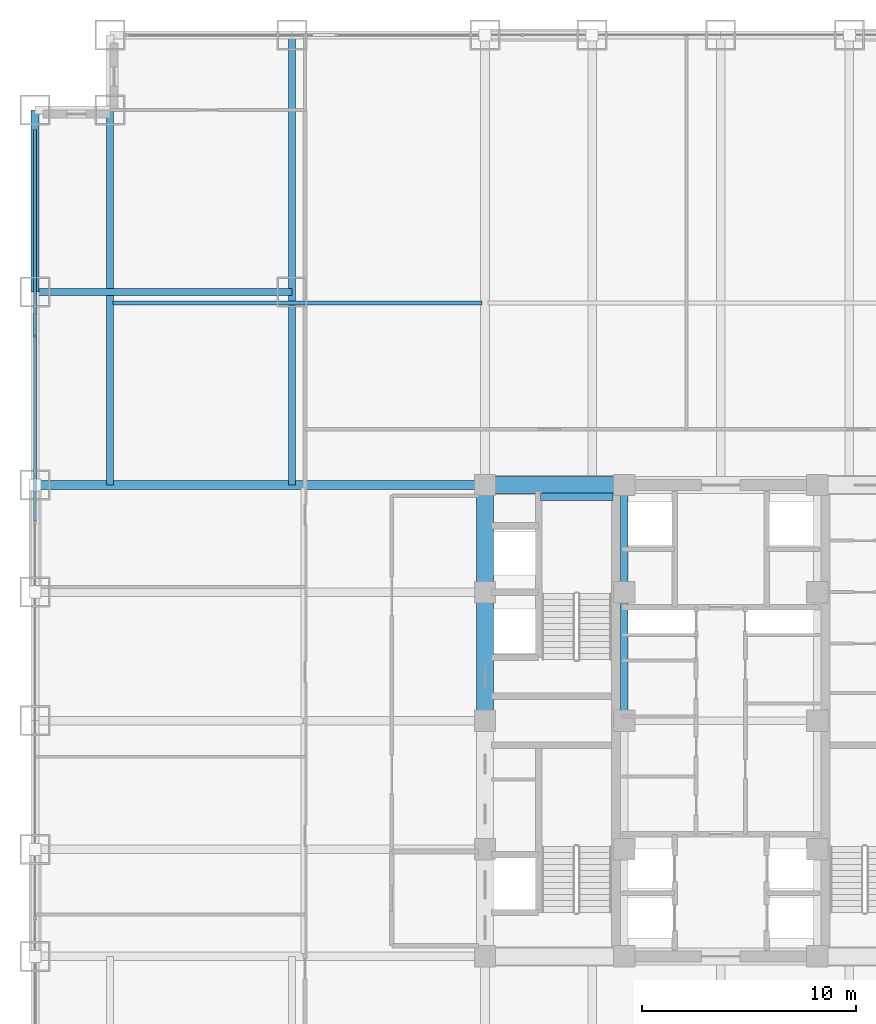
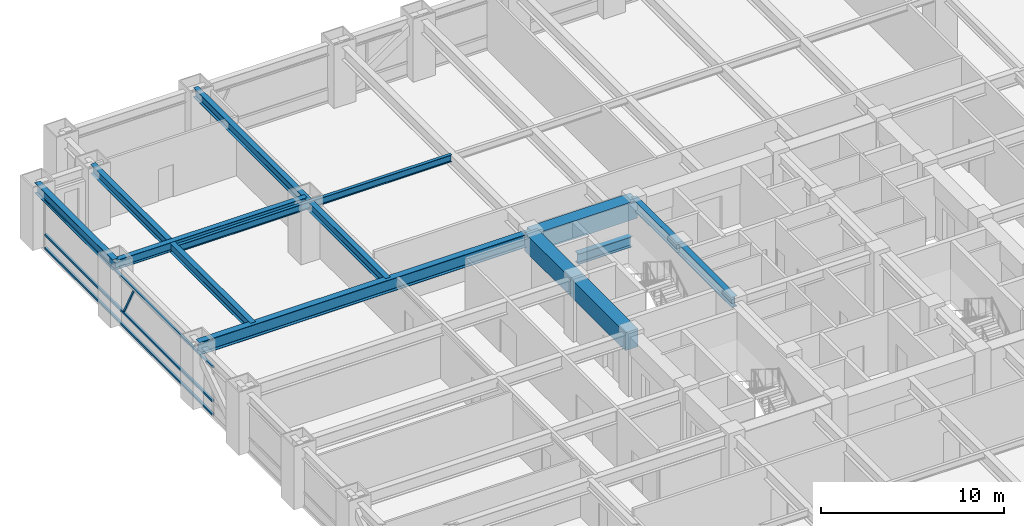
# One storey, part 13 of 28: 12 beams, 4 members, 1 element without a shape of its own.
"""IFC4 building model written with IfcOpenShell, lengths in metres."""

from ifc_helpers import new_model, si_unit, direction, frame, origin, origin_2d, place, context, subcontext, project, spatial, rectangle, hollow_rectangle, i_section, extrude, source, transform, mapped, material, material_profile, profile_set, type_object, element, aggregate, save


model = new_model("IFC4")

# Units and contexts
model_context = context("Model", 3, precision=1e-05, world=origin(), true_north=direction((0.0, 1.0)))
body_context = subcontext(model_context, "Body", "Model", "MODEL_VIEW")
ifc_project = project(units=[si_unit("LENGTHUNIT", "METRE"), si_unit("AREAUNIT", "SQUARE_METRE"), si_unit("VOLUMEUNIT", "CUBIC_METRE"), si_unit("PLANEANGLEUNIT", "RADIAN"), si_unit("MASSUNIT", "GRAM", prefix="KILO")], contexts=[model_context])

# Site, building, storey
site_placement = place(None, origin())
site = spatial("IfcSite", under=ifc_project, at=site_placement, CompositionType="ELEMENT")
building_placement = place(site_placement, origin())
building = spatial("IfcBuilding", under=site, at=building_placement, Name="Khorayat Bourse Tower", CompositionType="ELEMENT")
storey_placement = place(building_placement, frame((0.0, 0.0, 62.0)))
storey = spatial("IfcBuildingStorey", under=building, at=storey_placement, Name="L13", CompositionType="ELEMENT", Elevation=62.0)

# Beams
ifc_material_1 = material(Name="Concrete C72/90", Category="concrete")
ifc_material_profile_1 = material_profile(ifc_material_1, rectangle(XDim=0.800048828125, YDim=1.199951171875, at=origin_2d()), Name="RC 800x1200")
ifc_profile_set_1 = profile_set([ifc_material_profile_1], Name="Concrete C72/90")
beam_type_1 = type_object("IfcBeamType", Name="BM-COUP-1200", PredefinedType="BEAM", material=ifc_profile_set_1)
shared_shape_1 = source(origin(), body_context, "Body", "SweptSolid", [
    extrude(rectangle(XDim=0.800048828125, YDim=1.199951171875, at=origin_2d()), origin(), (0.0, 0.0, 1.0), 5.0),
])
beam_1_placement = place(storey_placement, frame((-11.0, 6.0, 3.340087890625), z_axis=(0.0, 1.0, 0.0), x_axis=(-1.0, 0.0, 0.0)))
element("IfcBeam", 1, at=beam_1_placement, inside=storey, type_object=beam_type_1, Name="L13 BM-COUP-1200 BM-L13-CRX-04", PredefinedType="BEAM", context=body_context, shape_type="MappedRepresentation", body=[
    mapped(shared_shape_1, transform((0.0, 0.0, 0.0), scale=1.0)),
])
shared_shape_2 = source(origin(), body_context, "Body", "SweptSolid", [
    extrude(rectangle(XDim=0.800048828125, YDim=1.199951171875, at=origin_2d()), origin(), (0.0, 0.0, 1.0), 6.0),
])
beam_2_placement = place(storey_placement, frame((-11.0, 0.0, 3.340087890625), z_axis=(0.0, 1.0, 0.0), x_axis=(-1.0, 0.0, 0.0)))
element("IfcBeam", 2, at=beam_2_placement, inside=storey, type_object=beam_type_1, Name="L13 BM-COUP-1200 BM-L13-CRX-03", PredefinedType="BEAM", context=body_context, shape_type="MappedRepresentation", body=[
    mapped(shared_shape_2, transform((0.0, 0.0, 0.0), scale=1.0)),
])
ifc_material_2 = material(Name="Steel ASTM A992 Grade 50", Category="steel")
ifc_material_profile_2 = material_profile(ifc_material_2, i_section(OverallWidth=0.35498046875, OverallDepth=0.695068359375, WebThickness=0.015380859375, FlangeThickness=0.02490234375, FilletRadius=0.01806640625, at=origin_2d()), Name="W690X217")
ifc_profile_set_2 = profile_set([ifc_material_profile_2], Name="Steel ASTM A992 Grade 50")
beam_type_2 = type_object("IfcBeamType", Name="BM-GIRD-690", PredefinedType="BEAM", material=ifc_profile_set_2)
shared_shape_3 = source(origin(), body_context, "Body", "SweptSolid", [
    extrude(i_section(OverallWidth=0.35498046875, OverallDepth=0.695068359375, WebThickness=0.015380859375, FlangeThickness=0.02490234375, FilletRadius=0.01806640625, at=origin_2d()), origin(), (0.0, 0.0, 1.0), 5.0),
])
beam_3_placement = place(storey_placement, frame((-4.5, 6.0, 3.592529296875), z_axis=(0.0, 1.0, 0.0), x_axis=(-1.0, 0.0, 0.0)))
element("IfcBeam", 3, at=beam_3_placement, inside=storey, type_object=beam_type_2, Name="L13 BM-GIRD-690 BM-L13-CRX-08", PredefinedType="BEAM", context=body_context, shape_type="MappedRepresentation", body=[
    mapped(shared_shape_3, transform((0.0, 0.0, 0.0), scale=1.0)),
])
shared_shape_4 = source(origin(), body_context, "Body", "SweptSolid", [
    extrude(i_section(OverallWidth=0.35498046875, OverallDepth=0.695068359375, WebThickness=0.015380859375, FlangeThickness=0.02490234375, FilletRadius=0.01806640625, at=origin_2d()), origin(), (0.0, 0.0, 1.0), 6.0),
])
beam_4_placement = place(storey_placement, frame((-4.5, 0.0, 3.592529296875), z_axis=(0.0, 1.0, 0.0), x_axis=(-1.0, 0.0, 0.0)))
element("IfcBeam", 4, at=beam_4_placement, inside=storey, type_object=beam_type_2, Name="L13 BM-GIRD-690 BM-L13-CRX-07", PredefinedType="BEAM", context=body_context, shape_type="MappedRepresentation", body=[
    mapped(shared_shape_4, transform((0.0, 0.0, 0.0), scale=1.0)),
])
shared_shape_5 = source(origin(), body_context, "Body", "SweptSolid", [
    extrude(rectangle(XDim=0.800048828125, YDim=1.199951171875, at=origin_2d()), origin(), (0.0, 0.0, 1.0), 6.5),
])
beam_5_placement = place(storey_placement, frame((-11.0, 11.0, 3.340087890625), z_axis=(1.0, 0.0, 0.0), x_axis=(0.0, 1.0, 0.0)))
element("IfcBeam", 5, at=beam_5_placement, inside=storey, type_object=beam_type_1, Name="L13 BM-COUP-1200 BM-L13-CRY-20", PredefinedType="BEAM", context=body_context, shape_type="MappedRepresentation", body=[
    mapped(shared_shape_5, transform((0.0, 0.0, 0.0), scale=1.0)),
])
shared_shape_6 = source(origin(), body_context, "Body", "SweptSolid", [
    extrude(i_section(OverallWidth=0.35498046875, OverallDepth=0.695068359375, WebThickness=0.015380859375, FlangeThickness=0.02490234375, FilletRadius=0.01806640625, at=origin_2d()), origin(), (0.0, 0.0, 1.0), 3.39990234375),
])
beam_6_placement = place(storey_placement, frame((-8.419921875, 10.449951171875, 1.552490234375), z_axis=(1.0, 0.0, 0.0), x_axis=(0.0, 1.0, 0.0)))
element("IfcBeam", 6, at=beam_6_placement, inside=storey, type_object=beam_type_2, Name="L13 BM-GIRD-690 BM-L13-ST2L", PredefinedType="BEAM", context=body_context, shape_type="MappedRepresentation", body=[
    mapped(shared_shape_6, transform((0.0, 0.0, 0.0), scale=1.0)),
])
ifc_material_profile_3 = material_profile(ifc_material_2, i_section(OverallWidth=0.35498046875, OverallDepth=0.695068359375, WebThickness=0.015380859375, FlangeThickness=0.02490234375, FilletRadius=0.01806640625, at=origin_2d()), Name="W690X217")
ifc_profile_set_3 = profile_set([ifc_material_profile_3], Name="Steel ASTM A992 Grade 50")
beam_type_3 = type_object("IfcBeamType", Name="BM-SPAN-690", PredefinedType="SPANDREL", material=ifc_profile_set_3)
shared_shape_7 = source(origin(), body_context, "Body", "SweptSolid", [
    extrude(i_section(OverallWidth=0.35498046875, OverallDepth=0.695068359375, WebThickness=0.015380859375, FlangeThickness=0.02490234375, FilletRadius=0.01806640625, at=origin_2d()), origin(), (0.0, 0.0, 1.0), 8.5),
])
beam_7_placement = place(storey_placement, frame((-32.0, 20.0, 3.592529296875), z_axis=(0.0, 1.0, 0.0), x_axis=(-1.0, 0.0, 0.0)))
element("IfcBeam", 7, at=beam_7_placement, inside=storey, type_object=beam_type_3, Name="L13 BM-SPAN-690 BM-L13-SPN-054", PredefinedType="SPANDREL", context=body_context, shape_type="MappedRepresentation", body=[
    mapped(shared_shape_7, transform((0.0, 0.0, 0.0), scale=1.0)),
])
ifc_material_profile_4 = material_profile(ifc_material_2, i_section(OverallWidth=0.39990234375, OverallDepth=0.85498046875, WebThickness=0.018310546875, FlangeThickness=0.029296875, FilletRadius=0.02001953125, at=origin_2d()), Name="W840X299")
ifc_profile_set_4 = profile_set([ifc_material_profile_4], Name="Steel ASTM A992 Grade 50")
beam_type_4 = type_object("IfcBeamType", Name="BM-GIRD-840", PredefinedType="BEAM", material=ifc_profile_set_4)
shared_shape_8 = source(origin(), body_context, "Body", "SweptSolid", [
    extrude(i_section(OverallWidth=0.39990234375, OverallDepth=0.85498046875, WebThickness=0.018310546875, FlangeThickness=0.029296875, FilletRadius=0.02001953125, at=origin_2d()), origin(), (0.0, 0.0, 1.0), 21.0),
])
beam_8_placement = place(storey_placement, frame((-32.0, 11.0, 3.512451171875), z_axis=(1.0, 0.0, 0.0), x_axis=(0.0, 1.0, 0.0)))
element("IfcBeam", 8, at=beam_8_placement, inside=storey, type_object=beam_type_4, Name="L13 BM-GIRD-840 BM-L13-RADX-083", PredefinedType="BEAM", context=body_context, shape_type="MappedRepresentation", body=[
    mapped(shared_shape_8, transform((0.0, 0.0, 0.0), scale=1.0)),
])
ifc_material_profile_5 = material_profile(ifc_material_2, i_section(OverallWidth=0.324951171875, OverallDepth=0.615966796875, WebThickness=0.013916015625, FlangeThickness=0.021484375, FilletRadius=0.01611328125, at=origin_2d()), Name="W610X174")
ifc_profile_set_5 = profile_set([ifc_material_profile_5], Name="Steel ASTM A992 Grade 50")
beam_type_5 = type_object("IfcBeamType", Name="BM-GIRD-610", PredefinedType="BEAM", material=ifc_profile_set_5)
shared_shape_9 = source(origin(), body_context, "Body", "SweptSolid", [
    extrude(i_section(OverallWidth=0.324951171875, OverallDepth=0.615966796875, WebThickness=0.013916015625, FlangeThickness=0.021484375, FilletRadius=0.01611328125, at=origin_2d()), origin(), (0.0, 0.0, 1.0), 21.0),
])
beam_9_placement = place(storey_placement, frame((-20.0, 11.0, 3.632080078125), z_axis=(0.0, 1.0, 0.0), x_axis=(-1.0, 0.0, 0.0)))
element("IfcBeam", 9, at=beam_9_placement, inside=storey, type_object=beam_type_5, Name="L13 BM-GIRD-610 BM-L13-CNRY-085", PredefinedType="BEAM", context=body_context, shape_type="MappedRepresentation", body=[
    mapped(shared_shape_9, transform((0.0, 0.0, 0.0), scale=1.0)),
])
shared_shape_10 = source(origin(), body_context, "Body", "SweptSolid", [
    extrude(i_section(OverallWidth=0.324951171875, OverallDepth=0.615966796875, WebThickness=0.013916015625, FlangeThickness=0.021484375, FilletRadius=0.01611328125, at=origin_2d()), origin(), (0.0, 0.0, 1.0), 17.5),
])
beam_10_placement = place(storey_placement, frame((-28.5, 11.0, 3.632080078125), z_axis=(0.0, 1.0, 0.0), x_axis=(-1.0, 0.0, 0.0)))
element("IfcBeam", 10, at=beam_10_placement, inside=storey, type_object=beam_type_5, Name="L13 BM-GIRD-610 BM-L13-CNRY-089", PredefinedType="BEAM", context=body_context, shape_type="MappedRepresentation", body=[
    mapped(shared_shape_10, transform((0.0, 0.0, 0.0), scale=1.0)),
])
shared_shape_11 = source(origin(), body_context, "Body", "SweptSolid", [
    extrude(i_section(OverallWidth=0.324951171875, OverallDepth=0.615966796875, WebThickness=0.013916015625, FlangeThickness=0.021484375, FilletRadius=0.01611328125, at=origin_2d()), origin(), (0.0, 0.0, 1.0), 12.0),
])
beam_11_placement = place(storey_placement, frame((-32.0, 20.0, 3.632080078125), z_axis=(1.0, 0.0, 0.0), x_axis=(0.0, 1.0, 0.0)))
element("IfcBeam", 11, at=beam_11_placement, inside=storey, type_object=beam_type_5, Name="L13 BM-GIRD-610 BM-L13-CNRX-095", PredefinedType="BEAM", context=body_context, shape_type="MappedRepresentation", body=[
    mapped(shared_shape_11, transform((0.0, 0.0, 0.0), scale=1.0)),
])
ifc_material_profile_6 = material_profile(ifc_material_2, i_section(OverallWidth=0.194091796875, OverallDepth=0.468994140625, WebThickness=0.0126953125, FlangeThickness=0.0205078125, FilletRadius=0.012939453125, at=origin_2d()), Name="W460X106")
ifc_profile_set_6 = profile_set([ifc_material_profile_6], Name="Steel ASTM A992 Grade 50")
beam_type_6 = type_object("IfcBeamType", Name="BM-JOIST-460", PredefinedType="JOIST", material=ifc_profile_set_6)
shared_shape_12 = source(origin(), body_context, "Body", "SweptSolid", [
    extrude(i_section(OverallWidth=0.194091796875, OverallDepth=0.468994140625, WebThickness=0.0126953125, FlangeThickness=0.0205078125, FilletRadius=0.012939453125, at=origin_2d()), origin(), (0.0, 0.0, 1.0), 17.240234375),
])
beam_12_placement = place(storey_placement, frame((-28.3701171875, 19.5, 3.70556640625), z_axis=(1.0, 0.0, 0.0), x_axis=(0.0, 1.0, 0.0)))
element("IfcBeam", 12, at=beam_12_placement, inside=storey, type_object=beam_type_6, Name="L13 BM-JOIST-460 BM-L13-JSTX-099", PredefinedType="JOIST", context=body_context, shape_type="MappedRepresentation", body=[
    mapped(shared_shape_12, transform((0.0, 0.0, 0.0), scale=1.0)),
])

# Curtain wall, members
ifc_material_3 = material(Name="Aluminium EN AW-6063 T6", Category="aluminium")
curtain_wall_type = type_object("IfcCurtainWallType", Name="CW-SYS-02", PredefinedType="NOTDEFINED", material=ifc_material_3)
curtain_wall_placement = place(storey_placement, origin())
curtain_wall = element("IfcCurtainWall", 13, at=curtain_wall_placement, inside=storey, type_object=curtain_wall_type, Name="L13 Curtain Wall CW-L13-W1", PredefinedType="NOTDEFINED")
ifc_material_profile_7 = material_profile(ifc_material_3, hollow_rectangle(XDim=0.139892578125, YDim=0.139892578125, WallThickness=0.006103515625, at=origin_2d()), Name="ALU 140x140x6")
ifc_profile_set_7 = profile_set([ifc_material_profile_7], Name="Aluminium EN AW-6063 T6")
member_type_1 = type_object("IfcMemberType", Name="CWT-HORZ-140", PredefinedType="USERDEFINED", material=ifc_profile_set_7)
shared_shape_13 = source(origin(), body_context, "Body", "SweptSolid", [
    extrude(hollow_rectangle(XDim=0.139892578125, YDim=0.139892578125, WallThickness=0.006103515625, at=origin_2d()), origin(), (0.0, 0.0, 1.0), 18.2900390625),
])
member_1_placement = place(storey_placement, frame((-32.0, 9.320068359375, 0.070068359375), z_axis=(0.0, 1.0, 0.0), x_axis=(-1.0, 0.0, 0.0)))
member_1 = element("IfcMember", 14, at=member_1_placement, type_object=member_type_1, Name="CW-L13-W1 Horizontal Transom 3-1", ObjectType="TRANSOM", PredefinedType="USERDEFINED", context=body_context, shape_type="MappedRepresentation", body=[
    mapped(shared_shape_13, transform((0.0, 0.0, 0.0), scale=1.0)),
])
member_2_placement = place(storey_placement, frame((-32.0, 9.320068359375, 0.949951171875), z_axis=(0.0, 1.0, 0.0), x_axis=(-1.0, 0.0, 0.0)))
member_2 = element("IfcMember", 15, at=member_2_placement, type_object=member_type_1, Name="CW-L13-W1 Horizontal Transom 3-2", ObjectType="TRANSOM", PredefinedType="USERDEFINED", context=body_context, shape_type="MappedRepresentation", body=[
    mapped(shared_shape_13, transform((0.0, 0.0, 0.0), scale=1.0)),
])
member_3_placement = place(storey_placement, frame((-32.0, 9.320068359375, 3.219970703125), z_axis=(0.0, 1.0, 0.0), x_axis=(-1.0, 0.0, 0.0)))
member_3 = element("IfcMember", 16, at=member_3_placement, type_object=member_type_1, Name="CW-L13-W1 Horizontal Transom 3-3", ObjectType="TRANSOM", PredefinedType="USERDEFINED", context=body_context, shape_type="MappedRepresentation", body=[
    mapped(shared_shape_13, transform((0.0, 0.0, 0.0), scale=1.0)),
])
ifc_material_profile_8 = material_profile(ifc_material_3, hollow_rectangle(XDim=0.1201171875, YDim=0.1201171875, WallThickness=0.0048828125, at=origin_2d()), Name="ALU 120x120x5")
ifc_profile_set_8 = profile_set([ifc_material_profile_8], Name="Aluminium EN AW-6063 T6")
member_type_2 = type_object("IfcMemberType", Name="CWM-DIAG-120", PredefinedType="MULLION", material=ifc_profile_set_8)
shared_shape_14 = source(origin(), body_context, "Body", "SweptSolid", [
    extrude(hollow_rectangle(XDim=0.1201171875, YDim=0.1201171875, WallThickness=0.0048828125, at=origin_2d()), origin(), (0.0, 0.0, 1.0), 2.22607421875),
])
member_4_placement = place(storey_placement, frame((-32.0, 18.9833984375, 1.10009765625), z_axis=(0.0, -0.465759992596, 0.884911085532), x_axis=(1.0, 0.0, 0.0)))
member_4 = element("IfcMember", 17, at=member_4_placement, type_object=member_type_2, Name="CW-L13-W1 Faceted Diagonal Mullion 3", PredefinedType="MULLION", context=body_context, shape_type="MappedRepresentation", body=[
    mapped(shared_shape_14, transform((0.0, 0.0, 0.0), scale=1.0)),
])
aggregate(curtain_wall, [member_1, member_2, member_3, member_4])

save(model, "model.ifc")
